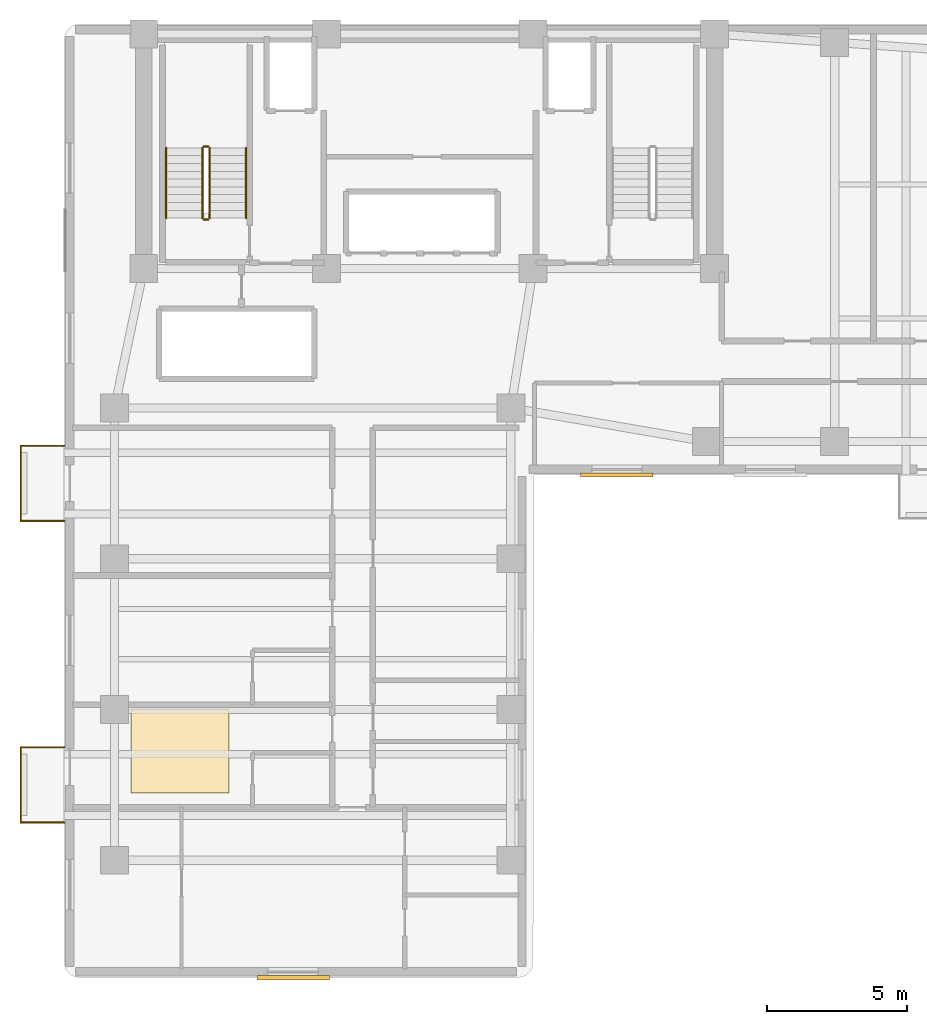
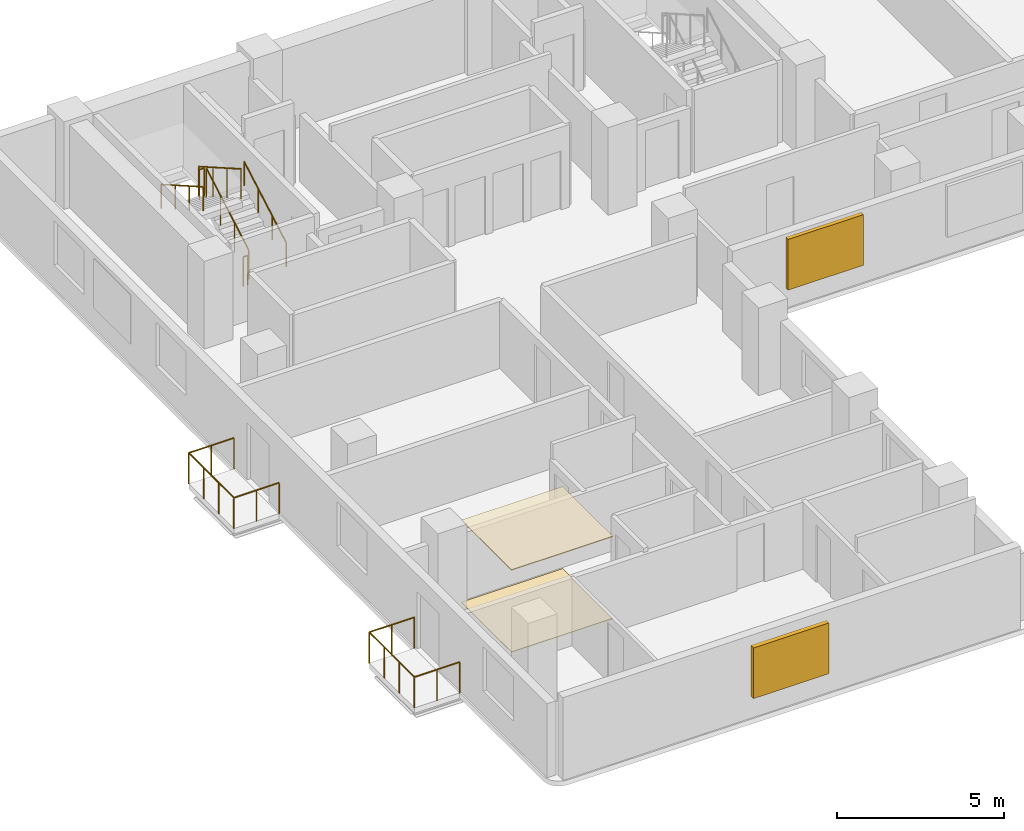
# One storey, part 6 of 7: 12 railings, 2 coverings, 2 shading devices.
"""IFC4 building model written with IfcOpenShell, lengths in metres."""

from ifc_helpers import new_model, si_unit, direction, frame, origin, origin_2d, place, context, subcontext, project, spatial, polyline, rectangle, circle, outline, extrude, material, layer, layer_set, type_object, element, save


model = new_model("IFC4")

# Units and contexts
model_context = context("Model", 3, precision=1e-05, world=origin(), true_north=direction((0.0, 1.0)))
body_context = subcontext(model_context, "Body", "Model", "MODEL_VIEW")
ifc_project = project(units=[si_unit("LENGTHUNIT", "METRE"), si_unit("AREAUNIT", "SQUARE_METRE"), si_unit("VOLUMEUNIT", "CUBIC_METRE"), si_unit("PLANEANGLEUNIT", "RADIAN"), si_unit("MASSUNIT", "GRAM", prefix="KILO")], contexts=[model_context])

# Site, building, storey
site_placement = place(None, origin())
site = spatial("IfcSite", under=ifc_project, at=site_placement, CompositionType="ELEMENT")
building_placement = place(site_placement, origin())
building = spatial("IfcBuilding", under=site, at=building_placement, Name="Kuzgunbayir Cultural Tower", CompositionType="ELEMENT")
storey_placement = place(building_placement, frame((0.0, 0.0, 136.199951171875)))
storey = spatial("IfcBuildingStorey", under=building, at=storey_placement, Name="L39", CompositionType="ELEMENT", Elevation=136.199951171875)

# Coverings
ifc_material_1 = material(Name="Perforated Gypsum Acoustic Tile", Category="gypsum")
ifc_layer_1 = layer(ifc_material_1, 0.02490234375)
ifc_layer_set_1 = layer_set([ifc_layer_1], Name="Perforated Gypsum Acoustic Tile")
covering_type_1 = type_object("IfcCoveringType", Name="COV-CEIL-ACOUSTIC", PredefinedType="CEILING", material=ifc_layer_set_1)
covering_1_placement = place(storey_placement, frame((0.0, 0.0, 2.989990234375)))
element("IfcCovering", 1, at=covering_1_placement, inside=storey, type_object=covering_type_1, Name="L39 Acoustic Soffit Ceiling", PredefinedType="CEILING", context=body_context, shape_type="SweptSolid", body=[
    extrude(outline(polyline([(6.0, 15.0), (9.5, 15.0), (9.5, 18.0), (6.0, 18.0), (6.0, 15.0)])), origin(), (0.0, 0.0, 1.0), 0.030029296875),
])
ifc_material_2 = material(Name="Engineered Anatolian Oak Parquet", Category="wood")
ifc_layer_2 = layer(ifc_material_2, 0.02197265625)
ifc_layer_set_2 = layer_set([ifc_layer_2], Name="Engineered Anatolian Oak Parquet")
covering_type_2 = type_object("IfcCoveringType", Name="COV-FLOOR-OAK", PredefinedType="FLOORING", material=ifc_layer_set_2)
covering_2_placement = place(storey_placement, origin())
element("IfcCovering", 2, at=covering_2_placement, inside=storey, type_object=covering_type_2, Name="L39 Acoustic Floor Finish", PredefinedType="FLOORING", context=body_context, shape_type="SweptSolid", body=[
    extrude(outline(polyline([(6.0, 15.0), (9.5, 15.0), (9.5, 18.0), (6.0, 18.0), (6.0, 15.0)])), origin(), (0.0, 0.0, 1.0), 0.02001953125),
])

# Railings
ifc_material_3 = material(Name="Laminated Glass and Stainless Steel", Category="steel")
ifc_layer_3 = layer(ifc_material_3, 0.080078125)
ifc_layer_set_3 = layer_set([ifc_layer_3], Name="Laminated Glass and Stainless Steel")
railing_type_1 = type_object("IfcRailingType", Name="RLG-BAL-115", PredefinedType="BALUSTRADE", material=ifc_layer_set_3)
railing_1_placement = place(storey_placement, frame((3.60009765625, 13.949951171875, 0.0)))
element("IfcRailing", 3, at=railing_1_placement, inside=storey, type_object=railing_type_1, Name="L39 Balcony Guard BAL-L39-WA1 Segment 1", PredefinedType="BALUSTRADE", context=body_context, shape_type="SweptSolid", body=[
    extrude(circle(Radius=0.02392578125, at=origin_2d()), frame((0.0, 0.0, 1.1259765625), z_axis=(-1.0, 0.0, 0.0), x_axis=(0.0, -1.0, 0.0)), (0.0, 0.0, 1.0), 1.56005859375),
    extrude(circle(Radius=0.02099609375, at=origin_2d()), origin(), (0.0, 0.0, 1.0), 1.101806640625),
    extrude(circle(Radius=0.02099609375, at=origin_2d()), frame((-0.780029296875, 0.0, 0.0)), (0.0, 0.0, 1.0), 1.101806640625),
    extrude(circle(Radius=0.02099609375, at=origin_2d()), frame((-1.56005859375, 0.0, 0.0)), (0.0, 0.0, 1.0), 1.101806640625),
])
railing_2_placement = place(storey_placement, frame((2.0400390625, 13.949951171875, 0.0)))
element("IfcRailing", 4, at=railing_2_placement, inside=storey, type_object=railing_type_1, Name="L39 Balcony Guard BAL-L39-WA1 Segment 2", PredefinedType="BALUSTRADE", context=body_context, shape_type="SweptSolid", body=[
    extrude(circle(Radius=0.02392578125, at=origin_2d()), frame((0.0, 0.0, 1.1259765625), z_axis=(0.0, 1.0, 0.0), x_axis=(-1.0, 0.0, 0.0)), (0.0, 0.0, 1.0), 2.699951171875),
    extrude(circle(Radius=0.02099609375, at=origin_2d()), origin(), (0.0, 0.0, 1.0), 1.101806640625),
    extrude(circle(Radius=0.02099609375, at=origin_2d()), frame((0.0, 0.89990234375, 0.0)), (0.0, 0.0, 1.0), 1.101806640625),
    extrude(circle(Radius=0.02099609375, at=origin_2d()), frame((0.0, 1.800048828125, 0.0)), (0.0, 0.0, 1.0), 1.101806640625),
    extrude(circle(Radius=0.02099609375, at=origin_2d()), frame((0.0, 2.699951171875, 0.0)), (0.0, 0.0, 1.0), 1.101806640625),
])
railing_3_placement = place(storey_placement, frame((2.0400390625, 16.64990234375, 0.0)))
element("IfcRailing", 5, at=railing_3_placement, inside=storey, type_object=railing_type_1, Name="L39 Balcony Guard BAL-L39-WA1 Segment 3", PredefinedType="BALUSTRADE", context=body_context, shape_type="SweptSolid", body=[
    extrude(circle(Radius=0.02392578125, at=origin_2d()), frame((0.0, 0.0, 1.1259765625), z_axis=(1.0, 0.0, 0.0), x_axis=(0.0, 1.0, 0.0)), (0.0, 0.0, 1.0), 1.56005859375),
    extrude(circle(Radius=0.02099609375, at=origin_2d()), origin(), (0.0, 0.0, 1.0), 1.101806640625),
    extrude(circle(Radius=0.02099609375, at=origin_2d()), frame((0.780029296875, 0.0, 0.0)), (0.0, 0.0, 1.0), 1.101806640625),
    extrude(circle(Radius=0.02099609375, at=origin_2d()), frame((1.56005859375, 0.0, 0.0)), (0.0, 0.0, 1.0), 1.101806640625),
])
railing_4_placement = place(storey_placement, frame((3.60009765625, 24.75, 0.0)))
element("IfcRailing", 6, at=railing_4_placement, inside=storey, type_object=railing_type_1, Name="L39 Balcony Guard BAL-L39-WA3 Segment 1", PredefinedType="BALUSTRADE", context=body_context, shape_type="SweptSolid", body=[
    extrude(circle(Radius=0.02392578125, at=origin_2d()), frame((0.0, 0.0, 1.1259765625), z_axis=(-1.0, 0.0, 0.0), x_axis=(0.0, -1.0, 0.0)), (0.0, 0.0, 1.0), 1.56005859375),
    extrude(circle(Radius=0.02099609375, at=origin_2d()), origin(), (0.0, 0.0, 1.0), 1.101806640625),
    extrude(circle(Radius=0.02099609375, at=origin_2d()), frame((-0.780029296875, 0.0, 0.0)), (0.0, 0.0, 1.0), 1.101806640625),
    extrude(circle(Radius=0.02099609375, at=origin_2d()), frame((-1.56005859375, 0.0, 0.0)), (0.0, 0.0, 1.0), 1.101806640625),
])
railing_5_placement = place(storey_placement, frame((2.0400390625, 24.75, 0.0)))
element("IfcRailing", 7, at=railing_5_placement, inside=storey, type_object=railing_type_1, Name="L39 Balcony Guard BAL-L39-WA3 Segment 2", PredefinedType="BALUSTRADE", context=body_context, shape_type="SweptSolid", body=[
    extrude(circle(Radius=0.02392578125, at=origin_2d()), frame((0.0, 0.0, 1.1259765625), z_axis=(0.0, 1.0, 0.0), x_axis=(-1.0, 0.0, 0.0)), (0.0, 0.0, 1.0), 2.699951171875),
    extrude(circle(Radius=0.02099609375, at=origin_2d()), origin(), (0.0, 0.0, 1.0), 1.101806640625),
    extrude(circle(Radius=0.02099609375, at=origin_2d()), frame((0.0, 0.89990234375, 0.0)), (0.0, 0.0, 1.0), 1.101806640625),
    extrude(circle(Radius=0.02099609375, at=origin_2d()), frame((0.0, 1.800048828125, 0.0)), (0.0, 0.0, 1.0), 1.101806640625),
    extrude(circle(Radius=0.02099609375, at=origin_2d()), frame((0.0, 2.699951171875, 0.0)), (0.0, 0.0, 1.0), 1.101806640625),
])
railing_6_placement = place(storey_placement, frame((2.0400390625, 27.449951171875, 0.0)))
element("IfcRailing", 8, at=railing_6_placement, inside=storey, type_object=railing_type_1, Name="L39 Balcony Guard BAL-L39-WA3 Segment 3", PredefinedType="BALUSTRADE", context=body_context, shape_type="SweptSolid", body=[
    extrude(circle(Radius=0.02392578125, at=origin_2d()), frame((0.0, 0.0, 1.1259765625), z_axis=(1.0, 0.0, 0.0), x_axis=(0.0, 1.0, 0.0)), (0.0, 0.0, 1.0), 1.56005859375),
    extrude(circle(Radius=0.02099609375, at=origin_2d()), origin(), (0.0, 0.0, 1.0), 1.101806640625),
    extrude(circle(Radius=0.02099609375, at=origin_2d()), frame((0.780029296875, 0.0, 0.0)), (0.0, 0.0, 1.0), 1.101806640625),
    extrude(circle(Radius=0.02099609375, at=origin_2d()), frame((1.56005859375, 0.0, 0.0)), (0.0, 0.0, 1.0), 1.101806640625),
])
ifc_material_4 = material(Name="Brushed Stainless Steel", Category="steel")
ifc_layer_4 = layer(ifc_material_4, 0.050048828125)
ifc_layer_set_4 = layer_set([ifc_layer_4], Name="Brushed Stainless Steel")
railing_type_2 = type_object("IfcRailingType", Name="RLG-STAIR-HANDRAIL", PredefinedType="HANDRAIL", material=ifc_layer_set_4)
railing_7_placement = place(storey_placement, frame((10.110107421875, 35.60009765625, 0.16015625)))
element("IfcRailing", 9, at=railing_7_placement, inside=storey, type_object=railing_type_2, Name="L39 ST-1 stair handrail 1", PredefinedType="HANDRAIL", context=body_context, shape_type="SweptSolid", body=[
    extrude(circle(Radius=0.02392578125, at=origin_2d()), frame((0.0, 0.0, 0.8759765625), z_axis=(0.0, 0.868253494771, 0.496120820787), x_axis=(-1.0, 0.0, 0.0)), (0.0, 0.0, 1.0), 2.90234375),
    extrude(circle(Radius=0.02099609375, at=origin_2d()), origin(), (0.0, 0.0, 1.0), 0.851806640625),
    extrude(circle(Radius=0.02099609375, at=origin_2d()), frame((0.0, 0.840087890625, 0.47998046875)), (0.0, 0.0, 1.0), 0.851806640625),
    extrude(circle(Radius=0.02099609375, at=origin_2d()), frame((0.0, 1.679931640625, 0.9599609375)), (0.0, 0.0, 1.0), 0.851806640625),
    extrude(circle(Radius=0.02099609375, at=origin_2d()), frame((0.0, 2.52001953125, 1.43994140625)), (0.0, 0.0, 1.0), 0.851806640625),
])
railing_8_placement = place(storey_placement, frame((7.25, 38.1201171875, 1.760009765625)))
element("IfcRailing", 10, at=railing_8_placement, inside=storey, type_object=railing_type_2, Name="L39 ST-1 stair handrail 2", PredefinedType="HANDRAIL", context=body_context, shape_type="SweptSolid", body=[
    extrude(circle(Radius=0.02392578125, at=origin_2d()), frame((0.0, 0.0, 0.8759765625), z_axis=(0.0, -0.868253494771, 0.496120820787), x_axis=(1.0, 0.0, 0.0)), (0.0, 0.0, 1.0), 2.90234375),
    extrude(circle(Radius=0.02099609375, at=origin_2d()), origin(), (0.0, 0.0, 1.0), 0.851806640625),
    extrude(circle(Radius=0.02099609375, at=origin_2d()), frame((0.0, -0.840087890625, 0.47998046875)), (0.0, 0.0, 1.0), 0.851806640625),
    extrude(circle(Radius=0.02099609375, at=origin_2d()), frame((0.0, -1.679931640625, 0.9599609375)), (0.0, 0.0, 1.0), 0.851806640625),
    extrude(circle(Radius=0.02099609375, at=origin_2d()), frame((0.0, -2.52001953125, 1.43994140625)), (0.0, 0.0, 1.0), 0.851806640625),
])
ifc_material_5 = material(Name="Painted Steel Balustrade", Category="steel")
ifc_layer_5 = layer(ifc_material_5, 0.06005859375)
ifc_layer_set_5 = layer_set([ifc_layer_5], Name="Painted Steel Balustrade")
railing_type_3 = type_object("IfcRailingType", Name="RLG-WELL-GUARD", PredefinedType="GUARDRAIL", material=ifc_layer_set_5)
railing_9_placement = place(storey_placement, frame((8.81005859375, 35.60009765625, 0.16015625)))
element("IfcRailing", 11, at=railing_9_placement, inside=storey, type_object=railing_type_3, Name="L39 ST-1 stair guard 1", PredefinedType="GUARDRAIL", context=body_context, shape_type="SweptSolid", body=[
    extrude(circle(Radius=0.02392578125, at=origin_2d()), frame((0.0, 0.0, 1.076171875), z_axis=(0.0, 0.868253494771, 0.496120820787), x_axis=(-1.0, 0.0, 0.0)), (0.0, 0.0, 1.0), 2.90234375),
    extrude(circle(Radius=0.02099609375, at=origin_2d()), origin(), (0.0, 0.0, 1.0), 1.052001953125),
    extrude(circle(Radius=0.02099609375, at=origin_2d()), frame((0.0, 0.840087890625, 0.47998046875)), (0.0, 0.0, 1.0), 1.052001953125),
    extrude(circle(Radius=0.02099609375, at=origin_2d()), frame((0.0, 1.679931640625, 0.9599609375)), (0.0, 0.0, 1.0), 1.052001953125),
    extrude(circle(Radius=0.02099609375, at=origin_2d()), frame((0.0, 2.52001953125, 1.43994140625)), (0.0, 0.0, 1.0), 1.052001953125),
])
railing_10_placement = place(storey_placement, frame((8.760009765625, 38.169921875, 1.60009765625)))
element("IfcRailing", 12, at=railing_10_placement, inside=storey, type_object=railing_type_3, Name="L39 ST-1 stair guard 2", PredefinedType="GUARDRAIL", context=body_context, shape_type="SweptSolid", body=[
    extrude(circle(Radius=0.02392578125, at=origin_2d()), frame((0.0, 0.0, 1.076171875), z_axis=(-1.0, 0.0, 0.0), x_axis=(0.0, -1.0, 0.0)), (0.0, 0.0, 1.0), 0.159912109375),
    extrude(circle(Radius=0.02099609375, at=origin_2d()), origin(), (0.0, 0.0, 1.0), 1.052001953125),
    extrude(circle(Radius=0.02099609375, at=origin_2d()), frame((-0.159912109375, 0.0, 0.0)), (0.0, 0.0, 1.0), 1.052001953125),
])
railing_11_placement = place(storey_placement, frame((8.550048828125, 38.1201171875, 1.760009765625)))
element("IfcRailing", 13, at=railing_11_placement, inside=storey, type_object=railing_type_3, Name="L39 ST-1 stair guard 3", PredefinedType="GUARDRAIL", context=body_context, shape_type="SweptSolid", body=[
    extrude(circle(Radius=0.02392578125, at=origin_2d()), frame((0.0, 0.0, 1.076171875), z_axis=(0.0, -0.868253494771, 0.496120820787), x_axis=(1.0, 0.0, 0.0)), (0.0, 0.0, 1.0), 2.90234375),
    extrude(circle(Radius=0.02099609375, at=origin_2d()), origin(), (0.0, 0.0, 1.0), 1.052001953125),
    extrude(circle(Radius=0.02099609375, at=origin_2d()), frame((0.0, -0.840087890625, 0.47998046875)), (0.0, 0.0, 1.0), 1.052001953125),
    extrude(circle(Radius=0.02099609375, at=origin_2d()), frame((0.0, -1.679931640625, 0.9599609375)), (0.0, 0.0, 1.0), 1.052001953125),
    extrude(circle(Radius=0.02099609375, at=origin_2d()), frame((0.0, -2.52001953125, 1.43994140625)), (0.0, 0.0, 1.0), 1.052001953125),
])
railing_12_placement = place(storey_placement, frame((8.760009765625, 35.550048828125, 0.0)))
element("IfcRailing", 14, at=railing_12_placement, inside=storey, type_object=railing_type_3, Name="L39 ST-1 stair guard 4", PredefinedType="GUARDRAIL", context=body_context, shape_type="SweptSolid", body=[
    extrude(circle(Radius=0.02392578125, at=origin_2d()), frame((0.0, 0.0, 1.076171875), z_axis=(-1.0, 0.0, 0.0), x_axis=(0.0, -1.0, 0.0)), (0.0, 0.0, 1.0), 0.159912109375),
    extrude(circle(Radius=0.02099609375, at=origin_2d()), origin(), (0.0, 0.0, 1.0), 1.052001953125),
    extrude(circle(Radius=0.02099609375, at=origin_2d()), frame((-0.159912109375, 0.0, 0.0)), (0.0, 0.0, 1.0), 1.052001953125),
])

# Shading devices
ifc_material_6 = material(Name="Perforated Bronze-Anodised Aluminium", Category="aluminium")
shading_device_type_1 = type_object("IfcShadingDeviceType", Name="SHD-SOLAR-BRONZE", PredefinedType="JALOUSIE", material=ifc_material_6)
shading_device_1_placement = place(storey_placement, frame((23.39990234375, 26.39990234375, 0.72509765625), z_axis=(0.0, 0.0, 1.0), x_axis=(1.0, 0.0, 0.0)))
element("IfcShadingDevice", 15, at=shading_device_1_placement, inside=storey, type_object=shading_device_type_1, Name="L39 Solar Screen WBS10", PredefinedType="JALOUSIE", context=body_context, shape_type="SweptSolid", body=[
    extrude(rectangle(XDim=2.60009765625, YDim=0.139892578125, at=origin_2d()), origin(), (0.0, 0.0, 1.0), 1.85009765625),
])
ifc_material_7 = material(Name="Warm Terracotta Ceramic Baguette", Category="masonry")
shading_device_type_2 = type_object("IfcShadingDeviceType", Name="SHD-SOLAR-CERAMIC", PredefinedType="SHUTTER", material=ifc_material_7)
shading_device_2_placement = place(storey_placement, frame((11.800048828125, 8.389892578125, 0.794921875), z_axis=(0.0, 0.0, 1.0), x_axis=(1.0, 0.0, 0.0)))
element("IfcShadingDevice", 16, at=shading_device_2_placement, inside=storey, type_object=shading_device_type_2, Name="L39 Solar Screen WAS3", PredefinedType="SHUTTER", context=body_context, shape_type="SweptSolid", body=[
    extrude(rectangle(XDim=2.60009765625, YDim=0.159912109375, at=origin_2d()), origin(), (0.0, 0.0, 1.0), 1.85009765625),
])

save(model, "model.ifc")
